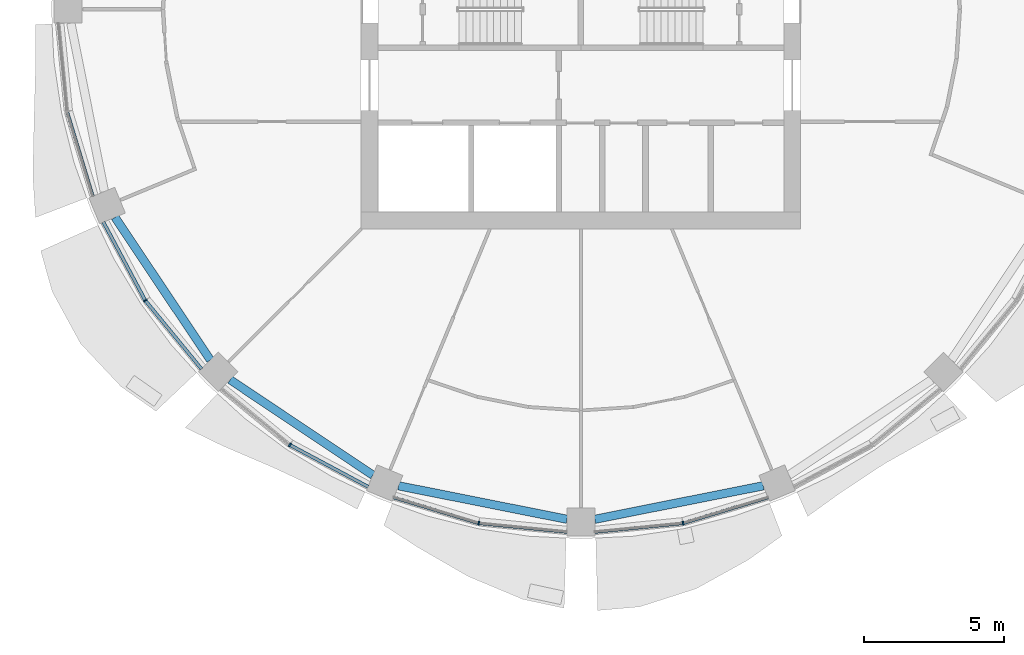
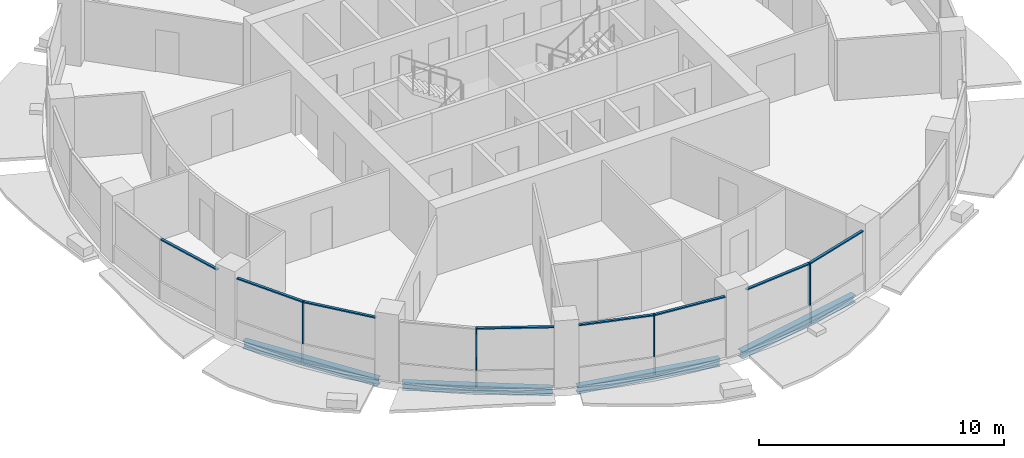
# One storey, part 2 of 15: 12 members, 4 beams, 5 elements without a shape of their own.
"""IFC4 building model written with IfcOpenShell, lengths in metres."""

from ifc_helpers import new_model, si_unit, direction, frame, origin, origin_2d, place, context, subcontext, project, spatial, rectangle, i_section, extrude, material, material_profile, profile_set, type_object, element, aggregate, save


model = new_model("IFC4")

# Units and contexts
model_context = context("Model", 3, precision=1e-05, world=origin(), true_north=direction((0.0, 1.0)))
body_context = subcontext(model_context, "Body", "Model", "MODEL_VIEW")
ifc_project = project(units=[si_unit("LENGTHUNIT", "METRE"), si_unit("AREAUNIT", "SQUARE_METRE"), si_unit("VOLUMEUNIT", "CUBIC_METRE"), si_unit("PLANEANGLEUNIT", "RADIAN"), si_unit("MASSUNIT", "GRAM", prefix="KILO")], contexts=[model_context])

# Site, building, storey
site_placement = place(None, origin())
site = spatial("IfcSite", under=ifc_project, at=site_placement, CompositionType="ELEMENT")
building_placement = place(site_placement, origin())
building = spatial("IfcBuilding", under=site, at=building_placement, Name="Polderwave Tower", CompositionType="ELEMENT")
storey_placement = place(building_placement, frame((0.0, 0.0, 131.0)))
storey = spatial("IfcBuildingStorey", under=building, at=storey_placement, Name="L34", CompositionType="ELEMENT", Elevation=131.0)

# Curtain wall, member
ifc_material_1 = material(Name="Aluminium 6063-T6 and glass", Category="aluminium")
curtain_wall_type = type_object("IfcCurtainWallType", Name="Office ribbon glazing wall", PredefinedType="NOTDEFINED", material=ifc_material_1)
curtain_wall_1_placement = place(storey_placement, origin())
curtain_wall_1 = element("IfcCurtainWall", 1, at=curtain_wall_1_placement, inside=storey, type_object=curtain_wall_type, Name="CW3 L34 09", PredefinedType="NOTDEFINED")
ifc_material_2 = material(Name="Aluminium 6063-T6", Category="aluminium")
ifc_material_profile_1 = material_profile(ifc_material_2, rectangle(XDim=0.139892578125, YDim=0.054931640625, at=origin_2d()), Name="AL 55x140")
ifc_profile_set_1 = profile_set([ifc_material_profile_1], Name="Aluminium 6063-T6")
member_type_1 = type_object("IfcMemberType", Name="Office ribbon glazing mullion 55x140", PredefinedType="MULLION", material=ifc_profile_set_1)
member_1_placement = place(storey_placement, frame((-15.614990234375, -10.43408203125, 0.89990234375), z_axis=(0.0, 0.0, 1.0), x_axis=(0.831411428565, 0.555657301267, 0.0)))
member_1 = element("IfcMember", 2, at=member_1_placement, type_object=member_type_1, Name="CW3 mullion 1", PredefinedType="MULLION", context=body_context, shape_type="SweptSolid", body=[
    extrude(rectangle(XDim=0.139892578125, YDim=0.054931640625, at=origin_2d()), origin(), (0.0, 0.0, 1.0), 2.10009765625),
])

curtain_wall_2_placement = place(storey_placement, origin())
curtain_wall_2 = element("IfcCurtainWall", 3, at=curtain_wall_2_placement, inside=storey, type_object=curtain_wall_type, Name="CW3 L34 10", PredefinedType="NOTDEFINED")
member_2_placement = place(storey_placement, frame((-10.43408203125, -15.614990234375, 0.89990234375), z_axis=(0.0, 0.0, 1.0), x_axis=(0.555657301267, 0.831411428565, 0.0)))
member_2 = element("IfcMember", 4, at=member_2_placement, type_object=member_type_1, Name="CW3 mullion 1", PredefinedType="MULLION", context=body_context, shape_type="SweptSolid", body=[
    extrude(rectangle(XDim=0.139892578125, YDim=0.054931640625, at=origin_2d()), origin(), (0.0, 0.0, 1.0), 2.10009765625),
])

curtain_wall_3_placement = place(storey_placement, origin())
curtain_wall_3 = element("IfcCurtainWall", 5, at=curtain_wall_3_placement, inside=storey, type_object=curtain_wall_type, Name="CW3 L34 11", PredefinedType="NOTDEFINED")
member_3_placement = place(storey_placement, frame((-3.6640625, -18.4189453125, 0.89990234375), z_axis=(0.0, 0.0, 1.0), x_axis=(0.195179334461, 0.980767570528, 0.0)))
member_3 = element("IfcMember", 6, at=member_3_placement, type_object=member_type_1, Name="CW3 mullion 1", PredefinedType="MULLION", context=body_context, shape_type="SweptSolid", body=[
    extrude(rectangle(XDim=0.139892578125, YDim=0.054931640625, at=origin_2d()), origin(), (0.0, 0.0, 1.0), 2.10009765625),
])

curtain_wall_4_placement = place(storey_placement, origin())
curtain_wall_4 = element("IfcCurtainWall", 7, at=curtain_wall_4_placement, inside=storey, type_object=curtain_wall_type, Name="CW3 L34 12", PredefinedType="NOTDEFINED")
member_4_placement = place(storey_placement, frame((3.6640625, -18.4189453125, 0.89990234375), z_axis=(0.0, 0.0, 1.0), x_axis=(-0.195179334461, 0.980767570528, 0.0)))
member_4 = element("IfcMember", 8, at=member_4_placement, type_object=member_type_1, Name="CW3 mullion 1", PredefinedType="MULLION", context=body_context, shape_type="SweptSolid", body=[
    extrude(rectangle(XDim=0.139892578125, YDim=0.054931640625, at=origin_2d()), origin(), (0.0, 0.0, 1.0), 2.10009765625),
])

curtain_wall_5_placement = place(storey_placement, origin())
curtain_wall_5 = element("IfcCurtainWall", 9, at=curtain_wall_5_placement, inside=storey, type_object=curtain_wall_type, Name="CW3 L34 08", PredefinedType="NOTDEFINED")
ifc_material_profile_2 = material_profile(ifc_material_2, rectangle(XDim=0.1201171875, YDim=0.06005859375, at=origin_2d()), Name="AL 60x120")
ifc_profile_set_2 = profile_set([ifc_material_profile_2], Name="Aluminium 6063-T6")
member_type_2 = type_object("IfcMemberType", Name="Office ribbon glazing transom 60x120", PredefinedType="USERDEFINED", material=ifc_profile_set_2)
member_5_placement = place(storey_placement, frame((-18.410888671875, -3.690185546875, 2.969970703125), z_axis=(0.290267539602, -0.956945534215, 0.0), x_axis=(0.956945534215, 0.290267539602, 0.0)))
member_5 = element("IfcMember", 10, at=member_5_placement, type_object=member_type_2, Name="CW3 transom 2", ObjectType="TRANSOM", PredefinedType="USERDEFINED", context=body_context, shape_type="SweptSolid", body=[
    extrude(rectangle(XDim=0.1201171875, YDim=0.06005859375, at=origin_2d()), origin(), (0.0, 0.0, 1.0), 3.151611328125),
])
aggregate(curtain_wall_5, [member_5])

# Member
member_6_placement = place(storey_placement, frame((-17.114013671875, -7.6298828125, 2.969970703125), z_axis=(0.471460363877, -0.88188725203, 0.0), x_axis=(0.88188725203, 0.471460363877, 0.0)))
member_6 = element("IfcMember", 11, at=member_6_placement, type_object=member_type_2, Name="CW3 transom 1", ObjectType="TRANSOM", PredefinedType="USERDEFINED", context=body_context, shape_type="SweptSolid", body=[
    extrude(rectangle(XDim=0.1201171875, YDim=0.06005859375, at=origin_2d()), origin(), (0.0, 0.0, 1.0), 3.152099609375),
])

member_7_placement = place(storey_placement, frame((-15.59765625, -10.455322265625, 2.969970703125), z_axis=(0.634536204131, -0.772893139863, 0.0), x_axis=(0.772893139863, 0.634536204131, 0.0)))
member_7 = element("IfcMember", 12, at=member_7_placement, type_object=member_type_2, Name="CW3 transom 2", ObjectType="TRANSOM", PredefinedType="USERDEFINED", context=body_context, shape_type="SweptSolid", body=[
    extrude(rectangle(XDim=0.1201171875, YDim=0.06005859375, at=origin_2d()), origin(), (0.0, 0.0, 1.0), 3.151611328125),
])

aggregate(curtain_wall_1, [member_1, member_6, member_7])

member_8_placement = place(storey_placement, frame((-10.40966796875, -15.6279296875, 2.969970703125), z_axis=(0.88188725203, -0.471460363877, 0.0), x_axis=(0.471460363877, 0.88188725203, 0.0)))
member_8 = element("IfcMember", 13, at=member_8_placement, type_object=member_type_2, Name="CW3 transom 2", ObjectType="TRANSOM", PredefinedType="USERDEFINED", context=body_context, shape_type="SweptSolid", body=[
    extrude(rectangle(XDim=0.1201171875, YDim=0.06005859375, at=origin_2d()), origin(), (0.0, 0.0, 1.0), 3.152099609375),
])

aggregate(curtain_wall_2, [member_2, member_8])

member_9_placement = place(storey_placement, frame((-6.7060546875, -17.49609375, 2.969970703125), z_axis=(0.956945534215, -0.290267539602, 0.0), x_axis=(0.290267539602, 0.956945534215, 0.0)))
member_9 = element("IfcMember", 14, at=member_9_placement, type_object=member_type_2, Name="CW3 transom 1", ObjectType="TRANSOM", PredefinedType="USERDEFINED", context=body_context, shape_type="SweptSolid", body=[
    extrude(rectangle(XDim=0.1201171875, YDim=0.06005859375, at=origin_2d()), origin(), (0.0, 0.0, 1.0), 3.151611328125),
])

member_10_placement = place(storey_placement, frame((-3.63671875, -18.421630859375, 2.969970703125), z_axis=(0.995172762919, -0.09813853445, 0.0), x_axis=(0.09813853445, 0.995172762919, 0.0)))
member_10 = element("IfcMember", 15, at=member_10_placement, type_object=member_type_2, Name="CW3 transom 2", ObjectType="TRANSOM", PredefinedType="USERDEFINED", context=body_context, shape_type="SweptSolid", body=[
    extrude(rectangle(XDim=0.1201171875, YDim=0.06005859375, at=origin_2d()), origin(), (0.0, 0.0, 1.0), 3.15185546875),
])

aggregate(curtain_wall_3, [member_3, member_9, member_10])

member_11_placement = place(storey_placement, frame((0.5, -18.73095703125, 2.969970703125), z_axis=(0.995172762919, 0.09813853445, 0.0), x_axis=(-0.09813853445, 0.995172762919, 0.0)))
member_11 = element("IfcMember", 16, at=member_11_placement, type_object=member_type_2, Name="CW3 transom 1", ObjectType="TRANSOM", PredefinedType="USERDEFINED", context=body_context, shape_type="SweptSolid", body=[
    extrude(rectangle(XDim=0.1201171875, YDim=0.06005859375, at=origin_2d()), origin(), (0.0, 0.0, 1.0), 3.15185546875),
])

member_12_placement = place(storey_placement, frame((3.690185546875, -18.410888671875, 2.969970703125), z_axis=(0.956945534215, 0.290267539602, 0.0), x_axis=(-0.290267539602, 0.956945534215, 0.0)))
member_12 = element("IfcMember", 17, at=member_12_placement, type_object=member_type_2, Name="CW3 transom 2", ObjectType="TRANSOM", PredefinedType="USERDEFINED", context=body_context, shape_type="SweptSolid", body=[
    extrude(rectangle(XDim=0.1201171875, YDim=0.06005859375, at=origin_2d()), origin(), (0.0, 0.0, 1.0), 3.151611328125),
])

aggregate(curtain_wall_4, [member_4, member_11, member_12])

# Beams
ifc_material_3 = material(Name="Steel S355", Category="steel")
ifc_material_profile_3 = material_profile(ifc_material_3, i_section(OverallWidth=0.300048828125, OverallDepth=0.360107421875, WebThickness=0.012451171875, FlangeThickness=0.0224609375, at=origin_2d()), Name="HE 360 B")
ifc_profile_set_3 = profile_set([ifc_material_profile_3], Name="Steel S355")
beam_type = type_object("IfcBeamType", Name="RING BEAM HE 360 B", PredefinedType="BEAM", material=ifc_profile_set_3)
for number, where, z_axis, x_axis, name in (
    (18, (-16.69775390625, -7.45751953125, -0.530029296875), (0.555579044629, -0.831463724506, 0.0), (0.831463724506, 0.555579044629, 0.0), "ST-RB-L34-09"),
    (19, (-12.57275390625, -13.27978515625, -0.530029296875), (0.831463724506, -0.555579044629, 0.0), (0.555579044629, 0.831463724506, 0.0), "ST-RB-L34-10"),
):
    element("IfcBeam", number, at=place(storey_placement, frame(where, z_axis=z_axis, x_axis=x_axis)), inside=storey, type_object=beam_type, Name=name, PredefinedType="BEAM", context=body_context, shape_type="SweptSolid", body=[
        extrude(i_section(OverallWidth=0.300048828125, OverallDepth=0.360107421875, WebThickness=0.012451171875, FlangeThickness=0.0224609375, at=origin_2d()), origin(), (0.0, 0.0, 1.0), 6.152099609375),
    ])
for number, where, z_axis, x_axis, name in (
    (20, (-6.53369140625, -17.080322265625, -0.530029296875), (0.9807846748, -0.195093366566, 0.0), (0.195093366566, 0.9807846748, 0.0), "ST-RB-L34-11"),
    (21, (0.5, -18.280517578125, -0.530029296875), (0.9807846748, 0.195093366566, 0.0), (-0.195093366566, 0.9807846748, 0.0), "ST-RB-L34-12"),
):
    element("IfcBeam", number, at=place(storey_placement, frame(where, z_axis=z_axis, x_axis=x_axis)), inside=storey, type_object=beam_type, Name=name, PredefinedType="BEAM", context=body_context, shape_type="SweptSolid", body=[
        extrude(i_section(OverallWidth=0.300048828125, OverallDepth=0.360107421875, WebThickness=0.012451171875, FlangeThickness=0.0224609375, at=origin_2d()), origin(), (0.0, 0.0, 1.0), 6.15185546875),
    ])

save(model, "model.ifc")
